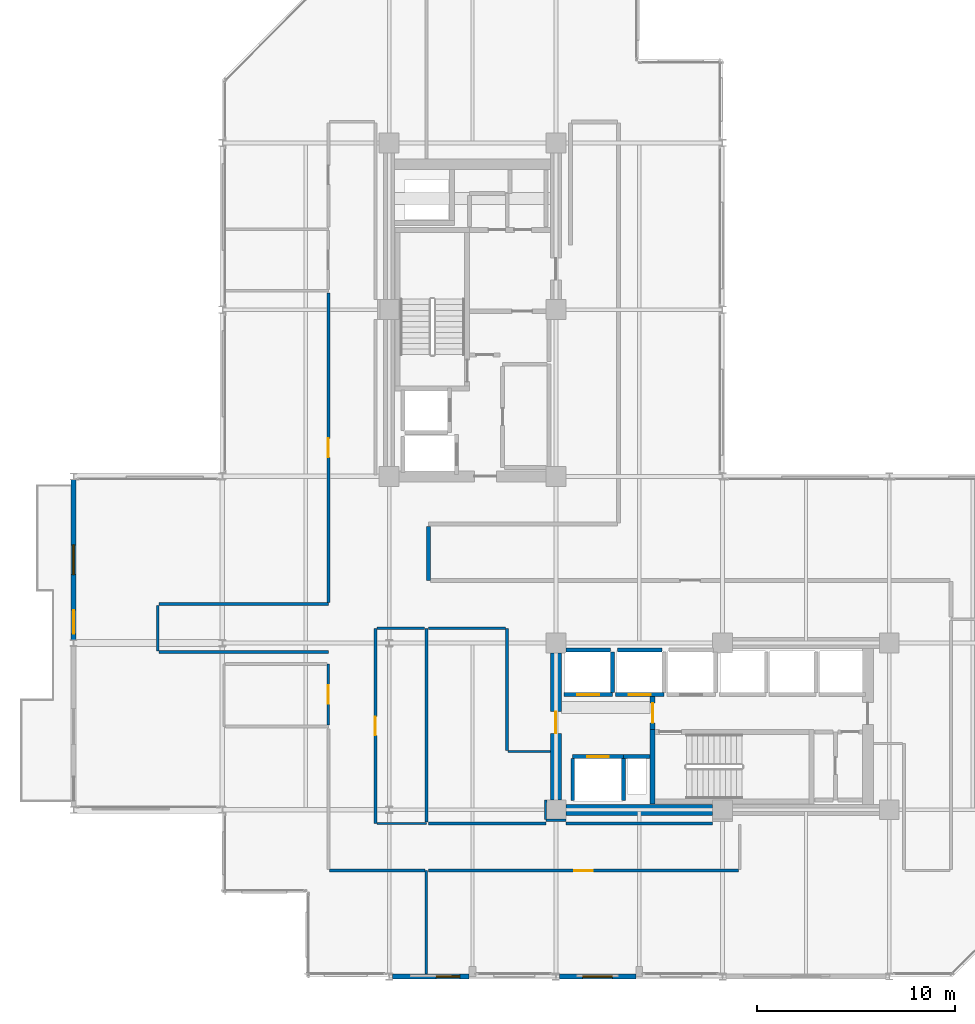
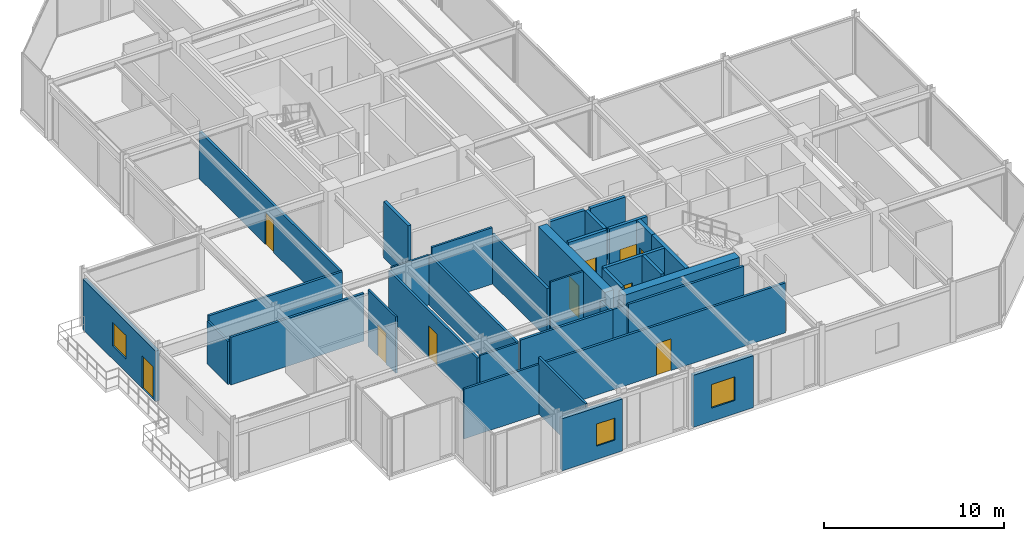
# One storey, part 24 of 29: 36 walls, 10 doors, 3 windows, 13 openings.
"""IFC4 building model written with IfcOpenShell, lengths in metres."""

from ifc_helpers import new_model, si_unit, direction, frame, frame_2d, origin, place, context, subcontext, project, spatial, rectangle, extrude, material, layer, layer_set, type_object, element, fill, save


model = new_model("IFC4")

# Units and contexts
model_context = context("Model", 3, precision=1e-05, world=origin(), true_north=direction((0.0, 1.0)))
body_context = subcontext(model_context, "Body", "Model", "MODEL_VIEW")
ifc_project = project(units=[si_unit("LENGTHUNIT", "METRE"), si_unit("AREAUNIT", "SQUARE_METRE"), si_unit("VOLUMEUNIT", "CUBIC_METRE"), si_unit("PLANEANGLEUNIT", "RADIAN"), si_unit("MASSUNIT", "GRAM", prefix="KILO")], contexts=[model_context])

# Site, building, storey
site_placement = place(None, origin())
site = spatial("IfcSite", under=ifc_project, at=site_placement, CompositionType="ELEMENT")
building_placement = place(site_placement, origin())
building = spatial("IfcBuilding", under=site, at=building_placement, Name="Nerrivon Quay Data Exchange", CompositionType="ELEMENT")
storey_placement = place(building_placement, frame((0.0, 0.0, 175.5)))
storey = spatial("IfcBuildingStorey", under=building, at=storey_placement, Name="L41", CompositionType="ELEMENT", Elevation=175.5)

# Wall, openings, door, window
ifc_material_1 = material(Name="Architectural terracotta precast concrete N50 (50 MPa)", Category="masonry")
ifc_layer_1 = layer(ifc_material_1, 0.239990234375)
ifc_layer_set_1 = layer_set([ifc_layer_1], Name="Architectural terracotta precast concrete N50 (50 MPa)")
wall_type_1 = type_object("IfcWallType", Name="EW-PREC-240", PredefinedType="STANDARD", material=ifc_layer_set_1)
wall_1_placement = place(storey_placement, frame((-7.5, 16.96337890625, 0.0), z_axis=(0.0, 0.0, 1.0), x_axis=(0.0, 1.0, 0.0)))
wall_1 = element("IfcWall", 1, at=wall_1_placement, inside=storey, type_object=wall_type_1, Name="L41 Terrace Host Wall 2", PredefinedType="STANDARD", context=body_context, shape_type="SweptSolid", body=[
    extrude(rectangle(XDim=8.0732421875, YDim=0.239990234375, at=frame_2d((4.03662109375, 0.0))), origin(), (0.0, 0.0, 1.0), 3.422119140625),
])
opening_1_placement = place(wall_1_placement, frame((0.300048828125, 0.0, 0.0)))
opening_1 = element("IfcOpeningElement", 2, at=opening_1_placement, cuts=wall_1, Name="Opening TD1", PredefinedType="OPENING", context=body_context, shape_type="SweptSolid", body=[
    extrude(rectangle(XDim=1.199951171875, YDim=2.199951171875, at=frame_2d((0.60009765625, 1.10009765625))), frame((0.0, 0.1298828125, 0.0), z_axis=(0.0, -1.0, 0.0), x_axis=(1.0, 0.0, 0.0)), (0.0, 0.0, 1.0), 0.260009765625),
])
opening_2_placement = place(wall_1_placement, frame((3.28662109375, 0.0, 0.89990234375)))
opening_2 = element("IfcOpeningElement", 3, at=opening_2_placement, cuts=wall_1, Name="Opening WN4", PredefinedType="OPENING", context=body_context, shape_type="SweptSolid", body=[
    extrude(rectangle(XDim=1.5, YDim=1.60009765625, at=frame_2d((0.75, 0.800048828125))), frame((0.0, 0.1298828125, 0.0), z_axis=(0.0, -1.0, 0.0), x_axis=(1.0, 0.0, 0.0)), (0.0, 0.0, 1.0), 0.260009765625),
])
ifc_material_2 = material(Name="Double-glazed low-E solar control glass", Category="glass")
door_type_1 = type_object("IfcDoorType", Name="DR-TERR-1200x2200", OperationType="NOTDEFINED", PredefinedType="DOOR", material=ifc_material_2)
door_1_placement = place(opening_1_placement, origin())
door_1 = element("IfcDoor", 4, at=door_1_placement, inside=storey, type_object=door_type_1, Name="L41 Outdoor Terrace Access Door 2", OperationType="SINGLE_SWING_LEFT", OverallHeight=2.199951171875, OverallWidth=1.199951171875, PredefinedType="DOOR", context=body_context, shape_type="SweptSolid", body=[
    extrude(rectangle(XDim=1.199951171875, YDim=2.199951171875, at=frame_2d((0.60009765625, 1.10009765625))), frame((0.0, 0.02490234375, 0.0), z_axis=(0.0, -1.0, 0.0), x_axis=(1.0, 0.0, 0.0)), (0.0, 0.0, 1.0), 0.050048828125),
])
fill(opening_1, door_1)
window_type_1 = type_object("IfcWindowType", Name="WIN-W4-1500x1600", PartitioningType="SINGLE_PANEL", PredefinedType="WINDOW", material=ifc_material_2)
window_1_placement = place(opening_2_placement, origin())
window_1 = element("IfcWindow", 5, at=window_1_placement, inside=storey, type_object=window_type_1, Name="L41 Terrace Side Window 2", OverallHeight=1.60009765625, OverallWidth=1.5, PartitioningType="SINGLE_PANEL", PredefinedType="WINDOW", context=body_context, shape_type="SweptSolid", body=[
    extrude(rectangle(XDim=1.5, YDim=1.60009765625, at=frame_2d((0.75, 0.800048828125))), frame((0.0, 0.030029296875, 0.0), z_axis=(0.0, -1.0, 0.0), x_axis=(1.0, 0.0, 0.0)), (0.0, 0.0, 1.0), 0.06005859375),
])
fill(opening_2, window_1)

# Wall, opening, window
wall_2_placement = place(storey_placement, frame((20.824951171875, 0.0, 0.0), z_axis=(0.0, 0.0, 1.0), x_axis=(-1.0, 0.0, 0.0)))
wall_2 = element("IfcWall", 6, at=wall_2_placement, inside=storey, type_object=wall_type_1, Name="L41 Podium Precast Spandrel Wall 25", PredefinedType="STANDARD", context=body_context, shape_type="SweptSolid", body=[
    extrude(rectangle(XDim=3.849853515625, YDim=0.239990234375, at=frame_2d((1.9248046875, 0.0))), origin(), (0.0, 0.0, 1.0), 3.52490234375),
])
opening_3_placement = place(wall_2_placement, frame((1.175048828125, 0.0, 0.89990234375)))
opening_3 = element("IfcOpeningElement", 7, at=opening_3_placement, cuts=wall_2, Name="Opening WN4", PredefinedType="OPENING", context=body_context, shape_type="SweptSolid", body=[
    extrude(rectangle(XDim=1.5, YDim=1.60009765625, at=frame_2d((0.75, 0.800048828125))), frame((0.0, 0.1298828125, 0.0), z_axis=(0.0, -1.0, 0.0), x_axis=(1.0, 0.0, 0.0)), (0.0, 0.0, 1.0), 0.260009765625),
])
window_2_placement = place(opening_3_placement, origin())
window_2 = element("IfcWindow", 8, at=window_2_placement, inside=storey, type_object=window_type_1, Name="L41 Solar Facade Window 25", OverallHeight=1.60009765625, OverallWidth=1.5, PartitioningType="SINGLE_PANEL", PredefinedType="WINDOW", context=body_context, shape_type="SweptSolid", body=[
    extrude(rectangle(XDim=1.5, YDim=1.60009765625, at=frame_2d((0.75, 0.800048828125))), frame((0.0, 0.030029296875, 0.0), z_axis=(0.0, -1.0, 0.0), x_axis=(1.0, 0.0, 0.0)), (0.0, 0.0, 1.0), 0.06005859375),
])
fill(opening_3, window_2)

wall_3_placement = place(storey_placement, frame((12.425048828125, 0.0, 0.0), z_axis=(0.0, 0.0, 1.0), x_axis=(-1.0, 0.0, 0.0)))
wall_3 = element("IfcWall", 9, at=wall_3_placement, inside=storey, type_object=wall_type_1, Name="L41 Podium Precast Spandrel Wall 27", PredefinedType="STANDARD", context=body_context, shape_type="SweptSolid", body=[
    extrude(rectangle(XDim=3.85009765625, YDim=0.239990234375, at=frame_2d((1.925048828125, 0.0))), origin(), (0.0, 0.0, 1.0), 3.52490234375),
])
opening_4_placement = place(wall_3_placement, frame((0.462646484375, 0.0, 0.89990234375)))
opening_4 = element("IfcOpeningElement", 10, at=opening_4_placement, cuts=wall_3, Name="Opening WN3", PredefinedType="OPENING", context=body_context, shape_type="SweptSolid", body=[
    extrude(rectangle(XDim=1.199951171875, YDim=1.5, at=frame_2d((0.60009765625, 0.75))), frame((0.0, 0.1298828125, 0.0), z_axis=(0.0, -1.0, 0.0), x_axis=(1.0, 0.0, 0.0)), (0.0, 0.0, 1.0), 0.260009765625),
])
window_type_2 = type_object("IfcWindowType", Name="WIN-W3-1200x1500", PartitioningType="SINGLE_PANEL", PredefinedType="WINDOW", material=ifc_material_2)
window_3_placement = place(opening_4_placement, origin())
window_3 = element("IfcWindow", 11, at=window_3_placement, inside=storey, type_object=window_type_2, Name="L41 Solar Facade Window 27", OverallHeight=1.5, OverallWidth=1.199951171875, PartitioningType="SINGLE_PANEL", PredefinedType="WINDOW", context=body_context, shape_type="SweptSolid", body=[
    extrude(rectangle(XDim=1.199951171875, YDim=1.5, at=frame_2d((0.60009765625, 0.75))), frame((0.0, 0.030029296875, 0.0), z_axis=(0.0, -1.0, 0.0), x_axis=(1.0, 0.0, 0.0)), (0.0, 0.0, 1.0), 0.06005859375),
])
fill(opening_4, window_3)

# Wall
ifc_material_3 = material(Name="Concrete S65 (65 MPa)", Category="concrete")
ifc_layer_2 = layer(ifc_material_3, 0.550048828125)
ifc_layer_set_2 = layer_set([ifc_layer_2], Name="Concrete S65 (65 MPa)")
wall_type_2 = type_object("IfcWallType", Name="WALL-CW-700", PredefinedType="SHEAR", material=ifc_layer_set_2)
wall_4_placement = place(storey_placement, frame((17.300048828125, 8.39990234375, 0.0), z_axis=(0.0, 0.0, 1.0), x_axis=(1.0, 0.0, 0.0)))
element("IfcWall", 12, at=wall_4_placement, inside=storey, type_object=wall_type_2, Name="L41 East Split-Core Shear Wall ECW-S1", PredefinedType="SHEAR", context=body_context, shape_type="SweptSolid", body=[
    extrude(rectangle(XDim=7.39990234375, YDim=0.550048828125, at=frame_2d((3.699951171875, 0.0))), origin(), (0.0, 0.0, 1.0), 3.824951171875),
])

# Wall, opening, door
wall_5_placement = place(storey_placement, frame((16.800048828125, 8.89990234375, 0.0), z_axis=(0.0, 0.0, 1.0), x_axis=(0.0, 1.0, 0.0)))
wall_5 = element("IfcWall", 13, at=wall_5_placement, inside=storey, type_object=wall_type_2, Name="L41 East Split-Core Shear Wall ECW-W1", PredefinedType="SHEAR", context=body_context, shape_type="SweptSolid", body=[
    extrude(rectangle(XDim=7.400146484375, YDim=0.550048828125, at=frame_2d((3.7001953125, 0.0))), origin(), (0.0, 0.0, 1.0), 3.824951171875),
])
opening_5_placement = place(wall_5_placement, frame((3.35009765625, 0.0, 0.0)))
opening_5 = element("IfcOpeningElement", 14, at=opening_5_placement, cuts=wall_5, Name="Opening FD-120", PredefinedType="OPENING", context=body_context, shape_type="SweptSolid", body=[
    extrude(rectangle(XDim=1.10009765625, YDim=2.14990234375, at=frame_2d((0.550048828125, 1.074951171875))), frame((0.0, 0.284912109375, 0.0), z_axis=(0.0, -1.0, 0.0), x_axis=(1.0, 0.0, 0.0)), (0.0, 0.0, 1.0), 0.570068359375),
])
ifc_material_4 = material(Name="Powder-coated galvanized steel sheet", Category="steel")
door_type_2 = type_object("IfcDoorType", Name="DR-FD120-1100", OperationType="NOTDEFINED", PredefinedType="DOOR", material=ifc_material_4)
door_2_placement = place(opening_5_placement, origin())
door_2 = element("IfcDoor", 15, at=door_2_placement, inside=storey, type_object=door_type_2, Name="L41 East Core Lobby Fire Door", OperationType="SINGLE_SWING_RIGHT", OverallHeight=2.14990234375, OverallWidth=1.10009765625, PredefinedType="DOOR", context=body_context, shape_type="SweptSolid", body=[
    extrude(rectangle(XDim=1.10009765625, YDim=2.14990234375, at=frame_2d((0.550048828125, 1.074951171875))), frame((0.0, 0.02490234375, 0.0), z_axis=(0.0, -1.0, 0.0), x_axis=(1.0, 0.0, 0.0)), (0.0, 0.0, 1.0), 0.050048828125),
])
fill(opening_5, door_2)

# Wall
ifc_material_5 = material(Name="Gypsum plasterboard on cold-formed framing", Category="gypsum")
ifc_layer_3 = layer(ifc_material_5, 0.199951171875)
ifc_layer_set_3 = layer_set([ifc_layer_3], Name="Gypsum plasterboard on cold-formed framing")
wall_type_3 = type_object("IfcWallType", Name="WALL-FW-200", PredefinedType="PARTITIONING", material=ifc_layer_set_3)
wall_6_placement = place(storey_placement, frame((20.199951171875, 11.080078125, 0.0), z_axis=(0.0, 0.0, 1.0), x_axis=(1.0, 0.0, 0.0)))
element("IfcWall", 16, at=wall_6_placement, inside=storey, type_object=wall_type_3, Name="L41 East Core MEP Riser Shaft Wall N", PredefinedType="PARTITIONING", context=body_context, shape_type="SweptSolid", body=[
    extrude(rectangle(XDim=1.35009765625, YDim=0.199951171875, at=frame_2d((0.675048828125, 0.0))), origin(), (0.0, 0.0, 1.0), 3.824951171875),
])

# Wall, opening, door
wall_7_placement = place(storey_placement, frame((17.64990234375, 11.080078125, 0.0), z_axis=(0.0, 0.0, 1.0), x_axis=(1.0, 0.0, 0.0)))
wall_7 = element("IfcWall", 17, at=wall_7_placement, inside=storey, type_object=wall_type_3, Name="L41 Lift Front Wall FFL-2", PredefinedType="PARTITIONING", context=body_context, shape_type="SweptSolid", body=[
    extrude(rectangle(XDim=2.550048828125, YDim=0.199951171875, at=frame_2d((1.27490234375, 0.0))), origin(), (0.0, 0.0, 1.0), 3.824951171875),
])
opening_6_placement = place(wall_7_placement, frame((0.72509765625, 0.0, 0.0)))
opening_6 = element("IfcOpeningElement", 18, at=opening_6_placement, cuts=wall_7, Name="Opening LD-120", PredefinedType="OPENING", context=body_context, shape_type="SweptSolid", body=[
    extrude(rectangle(XDim=1.10009765625, YDim=2.199951171875, at=frame_2d((0.550048828125, 1.10009765625))), frame((0.0, 0.10986328125, 0.0), z_axis=(0.0, -1.0, 0.0), x_axis=(1.0, 0.0, 0.0)), (0.0, 0.0, 1.0), 0.219970703125),
])
door_type_3 = type_object("IfcDoorType", Name="DR-LIFT-LD120", OperationType="DOUBLE_DOOR_SLIDING", PredefinedType="DOOR", material=ifc_material_4)
door_3_placement = place(opening_6_placement, origin())
door_3 = element("IfcDoor", 19, at=door_3_placement, inside=storey, type_object=door_type_3, Name="L41 Lift Landing Sliding Door FFL-2", OperationType="DOUBLE_DOOR_SLIDING", OverallHeight=2.199951171875, OverallWidth=1.10009765625, PredefinedType="DOOR", context=body_context, shape_type="SweptSolid", body=[
    extrude(rectangle(XDim=1.10009765625, YDim=2.199951171875, at=frame_2d((0.550048828125, 1.10009765625))), frame((0.0, 0.02490234375, 0.0), z_axis=(0.0, -1.0, 0.0), x_axis=(1.0, 0.0, 0.0)), (0.0, 0.0, 1.0), 0.050048828125),
])
fill(opening_6, door_3)

# Walls
for number, where, z_axis, x_axis, name in (
    (20, (20.199951171875, 8.8798828125, 0.0), (0.0, 0.0, 1.0), (0.0, 1.0, 0.0), "L41 Lift Shaft Wall FFL-2 EAST"),
    (21, (17.64990234375, 8.8798828125, 0.0), (0.0, 0.0, 1.0), (0.0, 1.0, 0.0), "L41 Lift Shaft Wall FFL-2 WEST"),
):
    element("IfcWall", number, at=place(storey_placement, frame(where, z_axis=z_axis, x_axis=x_axis)), inside=storey, type_object=wall_type_3, Name=name, PredefinedType="PARTITIONING", context=body_context, shape_type="SweptSolid", body=[
        extrude(rectangle(XDim=2.10009765625, YDim=0.199951171875, at=frame_2d((1.050048828125, 0.0))), origin(), (0.0, 0.0, 1.0), 3.824951171875),
    ])

# Wall, opening, door
wall_8_placement = place(storey_placement, frame((17.199951171875, 14.199951171875, 0.0), z_axis=(0.0, 0.0, 1.0), x_axis=(1.0, 0.0, 0.0)))
wall_8 = element("IfcWall", 22, at=wall_8_placement, inside=storey, type_object=wall_type_3, Name="L41 Lift Front Wall PL4", PredefinedType="PARTITIONING", context=body_context, shape_type="SweptSolid", body=[
    extrude(rectangle(XDim=2.449951171875, YDim=0.199951171875, at=frame_2d((1.22509765625, 0.0))), origin(), (0.0, 0.0, 1.0), 3.824951171875),
])
opening_7_placement = place(wall_8_placement, frame((0.675048828125, 0.0, 0.0)))
opening_7 = element("IfcOpeningElement", 23, at=opening_7_placement, cuts=wall_8, Name="Opening LD-120", PredefinedType="OPENING", context=body_context, shape_type="SweptSolid", body=[
    extrude(rectangle(XDim=1.10009765625, YDim=2.199951171875, at=frame_2d((0.550048828125, 1.10009765625))), frame((0.0, 0.10986328125, 0.0), z_axis=(0.0, -1.0, 0.0), x_axis=(1.0, 0.0, 0.0)), (0.0, 0.0, 1.0), 0.219970703125),
])
door_4_placement = place(opening_7_placement, origin())
door_4 = element("IfcDoor", 24, at=door_4_placement, inside=storey, type_object=door_type_3, Name="L41 Lift Landing Sliding Door PL4", OperationType="DOUBLE_DOOR_SLIDING", OverallHeight=2.199951171875, OverallWidth=1.10009765625, PredefinedType="DOOR", context=body_context, shape_type="SweptSolid", body=[
    extrude(rectangle(XDim=1.10009765625, YDim=2.199951171875, at=frame_2d((0.550048828125, 1.10009765625))), frame((0.0, 0.02490234375, 0.0), z_axis=(0.0, -1.0, 0.0), x_axis=(1.0, 0.0, 0.0)), (0.0, 0.0, 1.0), 0.050048828125),
])
fill(opening_7, door_4)

# Walls
wall_9_placement = place(storey_placement, frame((19.64990234375, 14.300048828125, 0.0), z_axis=(0.0, 0.0, 1.0), x_axis=(0.0, 1.0, 0.0)))
element("IfcWall", 25, at=wall_9_placement, inside=storey, type_object=wall_type_3, Name="L41 Lift Shaft Wall PL4 EAST", PredefinedType="PARTITIONING", context=body_context, shape_type="SweptSolid", body=[
    extrude(rectangle(XDim=2.050048828125, YDim=0.199951171875, at=frame_2d((1.02490234375, 0.0))), origin(), (0.0, 0.0, 1.0), 3.824951171875),
])
wall_10_placement = place(storey_placement, frame((17.300048828125, 16.449951171875, 0.0), z_axis=(0.0, 0.0, 1.0), x_axis=(1.0, 0.0, 0.0)))
element("IfcWall", 26, at=wall_10_placement, inside=storey, type_object=wall_type_3, Name="L41 Lift Shaft Wall PL4 NORTH", PredefinedType="PARTITIONING", context=body_context, shape_type="SweptSolid", body=[
    extrude(rectangle(XDim=2.25, YDim=0.199951171875, at=frame_2d((1.125, 0.0))), origin(), (0.0, 0.0, 1.0), 3.824951171875),
])

# Wall, opening, door
wall_11_placement = place(storey_placement, frame((19.800048828125, 14.199951171875, 0.0), z_axis=(0.0, 0.0, 1.0), x_axis=(1.0, 0.0, 0.0)))
wall_11 = element("IfcWall", 27, at=wall_11_placement, inside=storey, type_object=wall_type_3, Name="L41 Lift Front Wall PL5", PredefinedType="PARTITIONING", context=body_context, shape_type="SweptSolid", body=[
    extrude(rectangle(XDim=2.449951171875, YDim=0.199951171875, at=frame_2d((1.22509765625, 0.0))), origin(), (0.0, 0.0, 1.0), 3.824951171875),
])
opening_8_placement = place(wall_11_placement, frame((0.675048828125, 0.0, 0.0)))
opening_8 = element("IfcOpeningElement", 28, at=opening_8_placement, cuts=wall_11, Name="Opening LD-120", PredefinedType="OPENING", context=body_context, shape_type="SweptSolid", body=[
    extrude(rectangle(XDim=1.10009765625, YDim=2.199951171875, at=frame_2d((0.550048828125, 1.10009765625))), frame((0.0, 0.10986328125, 0.0), z_axis=(0.0, -1.0, 0.0), x_axis=(1.0, 0.0, 0.0)), (0.0, 0.0, 1.0), 0.219970703125),
])
door_5_placement = place(opening_8_placement, origin())
door_5 = element("IfcDoor", 29, at=door_5_placement, inside=storey, type_object=door_type_3, Name="L41 Lift Landing Sliding Door PL5", OperationType="DOUBLE_DOOR_SLIDING", OverallHeight=2.199951171875, OverallWidth=1.10009765625, PredefinedType="DOOR", context=body_context, shape_type="SweptSolid", body=[
    extrude(rectangle(XDim=1.10009765625, YDim=2.199951171875, at=frame_2d((0.550048828125, 1.10009765625))), frame((0.0, 0.02490234375, 0.0), z_axis=(0.0, -1.0, 0.0), x_axis=(1.0, 0.0, 0.0)), (0.0, 0.0, 1.0), 0.050048828125),
])
fill(opening_8, door_5)

# Walls
wall_12_placement = place(storey_placement, frame((19.89990234375, 16.449951171875, 0.0), z_axis=(0.0, 0.0, 1.0), x_axis=(1.0, 0.0, 0.0)))
element("IfcWall", 30, at=wall_12_placement, inside=storey, type_object=wall_type_3, Name="L41 Lift Shaft Wall PL5 NORTH", PredefinedType="PARTITIONING", context=body_context, shape_type="SweptSolid", body=[
    extrude(rectangle(XDim=2.25, YDim=0.199951171875, at=frame_2d((1.125, 0.0))), origin(), (0.0, 0.0, 1.0), 3.824951171875),
])
wall_13_placement = place(storey_placement, frame((10.389892578125, 22.68603515625, 0.0), z_axis=(0.0, 0.0, 1.0), x_axis=(0.0, -1.0, 0.0)))
element("IfcWall", 31, at=wall_13_placement, inside=storey, type_object=wall_type_3, Name="L41 Partition Colocation Data Workspace 1", PredefinedType="PARTITIONING", context=body_context, shape_type="SweptSolid", body=[
    extrude(rectangle(XDim=2.72607421875, YDim=0.199951171875, at=frame_2d((1.363037109375, 0.0))), origin(), (0.0, 0.0, 1.0), 3.824951171875),
])

# Wall, opening, door
ifc_layer_4 = layer(ifc_material_5, 0.1201171875)
ifc_layer_set_4 = layer_set([ifc_layer_4], Name="Gypsum plasterboard on cold-formed framing")
wall_type_4 = type_object("IfcWallType", Name="WALL-PT-120", PredefinedType="PARTITIONING", material=ifc_layer_set_4)
wall_14_placement = place(storey_placement, frame((5.340087890625, 12.67138671875, 0.0), z_axis=(0.0, 0.0, 1.0), x_axis=(0.0, 1.0, 0.0)))
wall_14 = element("IfcWall", 32, at=wall_14_placement, inside=storey, type_object=wall_type_4, Name="L41 Partition Accessible Toilet", PredefinedType="PARTITIONING", context=body_context, shape_type="SweptSolid", body=[
    extrude(rectangle(XDim=3.07861328125, YDim=0.1201171875, at=frame_2d((1.539306640625, 0.0))), origin(), (0.0, 0.0, 1.0), 3.824951171875),
])
opening_9_placement = place(wall_14_placement, frame((1.079345703125, 0.0, 0.0)))
opening_9 = element("IfcOpeningElement", 33, at=opening_9_placement, cuts=wall_14, Name="Opening D-WC", PredefinedType="OPENING", context=body_context, shape_type="SweptSolid", body=[
    extrude(rectangle(XDim=0.919921875, YDim=2.10009765625, at=frame_2d((0.4599609375, 1.050048828125))), frame((0.0, 0.070068359375, 0.0), z_axis=(0.0, -1.0, 0.0), x_axis=(1.0, 0.0, 0.0)), (0.0, 0.0, 1.0), 0.14013671875),
])
ifc_material_6 = material(Name="Engineered hardwood timber", Category="wood")
door_type_4 = type_object("IfcDoorType", Name="DR-WC-920", OperationType="NOTDEFINED", PredefinedType="DOOR", material=ifc_material_6)
door_6_placement = place(opening_9_placement, origin())
door_6 = element("IfcDoor", 34, at=door_6_placement, inside=storey, type_object=door_type_4, Name="L41 Door Accessible Toilet", OperationType="SINGLE_SWING_LEFT", OverallHeight=2.10009765625, OverallWidth=0.919921875, PredefinedType="DOOR", context=body_context, shape_type="SweptSolid", body=[
    extrude(rectangle(XDim=0.919921875, YDim=2.10009765625, at=frame_2d((0.4599609375, 1.050048828125))), frame((0.0, 0.02490234375, 0.0), z_axis=(0.0, -1.0, 0.0), x_axis=(1.0, 0.0, 0.0)), (0.0, 0.0, 1.0), 0.050048828125),
])
fill(opening_9, door_6)

# Walls
wall_15_placement = place(storey_placement, frame((7.7890625, 7.7099609375, 0.0), z_axis=(0.0, 0.0, 1.0), x_axis=(1.0, 0.0, 0.0)))
element("IfcWall", 35, at=wall_15_placement, inside=storey, type_object=wall_type_4, Name="L41 Partition Staff Pantry", PredefinedType="PARTITIONING", context=body_context, shape_type="SweptSolid", body=[
    extrude(rectangle(XDim=2.480712890625, YDim=0.1201171875, at=frame_2d((1.240234375, 0.0))), origin(), (0.0, 0.0, 1.0), 3.37109375),
])
wall_16_placement = place(storey_placement, frame((10.19091796875, 17.5400390625, 0.0), z_axis=(0.0, 0.0, 1.0), x_axis=(-1.0, 0.0, 0.0)))
element("IfcWall", 36, at=wall_16_placement, inside=storey, type_object=wall_type_4, Name="L41 Partition Staff Pantry", PredefinedType="PARTITIONING", context=body_context, shape_type="SweptSolid", body=[
    extrude(rectangle(XDim=2.40185546875, YDim=0.1201171875, at=frame_2d((1.200927734375, 0.0))), origin(), (0.0, 0.0, 1.0), 3.37109375),
])
wall_17_placement = place(storey_placement, frame((-3.259765625, 16.39404296875, 0.0), z_axis=(0.0, 0.0, 1.0), x_axis=(-0.000105876124, 0.999999994395, 0.0)))
element("IfcWall", 37, at=wall_17_placement, inside=storey, type_object=wall_type_4, Name="L41 Partition Mail and Crew Room", PredefinedType="PARTITIONING", context=body_context, shape_type="SweptSolid", body=[
    extrude(rectangle(XDim=2.305908203125, YDim=0.1201171875, at=frame_2d((1.15283203125, 0.0))), origin(), (0.0, 0.0, 1.0), 2.9150390625),
])
wall_18_placement = place(storey_placement, frame((17.303955078125, 7.88037109375, 0.0), z_axis=(0.0, 0.0, 1.0), x_axis=(-0.999999881717, -0.000486381265, 0.0)))
element("IfcWall", 38, at=wall_18_placement, inside=storey, type_object=wall_type_4, Name="L41 Partition Technical Library", PredefinedType="PARTITIONING", context=body_context, shape_type="SweptSolid", body=[
    extrude(rectangle(XDim=1.00390625, YDim=0.1201171875, at=frame_2d((0.501953125, 0.0))), origin(), (0.0, 0.0, 1.0), 3.37109375),
])
wall_19_placement = place(storey_placement, frame((16.280029296875, 7.89990234375, 0.0), z_axis=(0.0, 0.0, 1.0), x_axis=(0.000486381265, 0.999999881717, 0.0)))
element("IfcWall", 39, at=wall_19_placement, inside=storey, type_object=wall_type_4, Name="L41 Partition Technical Library", PredefinedType="PARTITIONING", context=body_context, shape_type="SweptSolid", body=[
    extrude(rectangle(XDim=1.00390625, YDim=0.1201171875, at=frame_2d((0.501953125, 0.0))), origin(), (0.0, 0.0, 1.0), 3.364990234375),
])
wall_20_placement = place(storey_placement, frame((16.52099609375, 11.340087890625, 0.0), z_axis=(0.0, 0.0, 1.0), x_axis=(-1.0, 0.0, 0.0)))
element("IfcWall", 40, at=wall_20_placement, inside=storey, type_object=wall_type_4, Name="L41 Partition Technical Library", PredefinedType="PARTITIONING", context=body_context, shape_type="SweptSolid", body=[
    extrude(rectangle(XDim=2.12109375, YDim=0.1201171875, at=frame_2d((1.060546875, 0.0))), origin(), (0.0, 0.0, 1.0), 3.824951171875),
])
ifc_layer_5 = layer(ifc_material_5, 0.135009765625)
ifc_layer_set_5 = layer_set([ifc_layer_5], Name="Gypsum plasterboard on cold-formed framing")
wall_type_5 = type_object("IfcWallType", Name="WALL-PT-135", PredefinedType="PARTITIONING", material=ifc_layer_set_5)
wall_21_placement = place(storey_placement, frame((10.269775390625, 0.1240234375, 0.0), z_axis=(0.0, 0.0, 1.0), x_axis=(0.0, 1.0, 0.0)))
element("IfcWall", 41, at=wall_21_placement, inside=storey, type_object=wall_type_5, Name="L41 Partition Mail and Crew Room", PredefinedType="PARTITIONING", context=body_context, shape_type="SweptSolid", body=[
    extrude(rectangle(XDim=5.216064453125, YDim=0.135009765625, at=frame_2d((2.60791015625, 0.0))), origin(), (0.0, 0.0, 1.0), 3.824951171875),
])
wall_22_placement = place(storey_placement, frame((10.1982421875, 5.340087890625, 0.0), z_axis=(0.0, 0.0, 1.0), x_axis=(-1.0, 0.0, 0.0)))
element("IfcWall", 42, at=wall_22_placement, inside=storey, type_object=wall_type_5, Name="L41 Partition Mail and Crew Room", PredefinedType="PARTITIONING", context=body_context, shape_type="SweptSolid", body=[
    extrude(rectangle(XDim=4.79833984375, YDim=0.135009765625, at=frame_2d((2.399169921875, 0.0))), origin(), (0.0, 0.0, 1.0), 3.37109375),
])
wall_23_placement = place(storey_placement, frame((14.260986328125, 17.5400390625, 0.0), z_axis=(0.0, 0.0, 1.0), x_axis=(-1.0, 0.0, 0.0)))
element("IfcWall", 43, at=wall_23_placement, inside=storey, type_object=wall_type_5, Name="L41 Partition Technical Library", PredefinedType="PARTITIONING", context=body_context, shape_type="SweptSolid", body=[
    extrude(rectangle(XDim=3.87109375, YDim=0.135009765625, at=frame_2d((1.935546875, 0.0))), origin(), (0.0, 0.0, 1.0), 3.824951171875),
])

# Wall, opening, door
ifc_layer_6 = layer(ifc_material_5, 0.14990234375)
ifc_layer_set_6 = layer_set([ifc_layer_6], Name="Gypsum plasterboard on cold-formed framing")
wall_type_6 = type_object("IfcWallType", Name="WALL-PT-150", PredefinedType="PARTITIONING", material=ifc_layer_set_6)
wall_24_placement = place(storey_placement, frame((7.7099609375, 17.5400390625, 0.0), z_axis=(0.0, 0.0, 1.0), x_axis=(0.0, -1.0, 0.0)))
wall_24 = element("IfcWall", 44, at=wall_24_placement, inside=storey, type_object=wall_type_6, Name="L41 Partition Staff Pantry", PredefinedType="PARTITIONING", context=body_context, shape_type="SweptSolid", body=[
    extrude(rectangle(XDim=9.830078125, YDim=0.14990234375, at=frame_2d((4.9150390625, 0.0))), origin(), (0.0, 0.0, 1.0), 3.212890625),
])
opening_10_placement = place(wall_24_placement, frame((4.43994140625, 0.0, 0.0)))
opening_10 = element("IfcOpeningElement", 45, at=opening_10_placement, cuts=wall_24, Name="Opening D-01", PredefinedType="OPENING", context=body_context, shape_type="SweptSolid", body=[
    extrude(rectangle(XDim=0.949951171875, YDim=2.14990234375, at=frame_2d((0.47509765625, 1.074951171875))), frame((0.0, 0.0849609375, 0.0), z_axis=(0.0, -1.0, 0.0), x_axis=(1.0, 0.0, 0.0)), (0.0, 0.0, 1.0), 0.169921875),
])
door_type_5 = type_object("IfcDoorType", Name="DR-INT-950", OperationType="NOTDEFINED", PredefinedType="DOOR", material=ifc_material_6)
door_7_placement = place(opening_10_placement, origin())
door_7 = element("IfcDoor", 46, at=door_7_placement, inside=storey, type_object=door_type_5, Name="L41 Door Staff Pantry", OperationType="SINGLE_SWING_LEFT", OverallHeight=2.14990234375, OverallWidth=0.949951171875, PredefinedType="DOOR", context=body_context, shape_type="SweptSolid", body=[
    extrude(rectangle(XDim=0.949951171875, YDim=2.14990234375, at=frame_2d((0.47509765625, 1.074951171875))), frame((0.0, 0.02490234375, 0.0), z_axis=(0.0, -1.0, 0.0), x_axis=(1.0, 0.0, 0.0)), (0.0, 0.0, 1.0), 0.050048828125),
])
fill(opening_10, door_7)

# Walls
wall_25_placement = place(storey_placement, frame((10.269775390625, 7.77392578125, 0.0), z_axis=(0.0, 0.0, 1.0), x_axis=(0.0, 1.0, 0.0)))
element("IfcWall", 47, at=wall_25_placement, inside=storey, type_object=wall_type_6, Name="L41 Partition Staff Pantry", PredefinedType="PARTITIONING", context=body_context, shape_type="SweptSolid", body=[
    extrude(rectangle(XDim=9.76611328125, YDim=0.14990234375, at=frame_2d((4.883056640625, 0.0))), origin(), (0.0, 0.0, 1.0), 3.364990234375),
])
for number, where, z_axis, x_axis, name in (
    (48, (5.340087890625, 16.340087890625, 0.0), (0.0, 0.0, 1.0), (-1.0, 0.0, 0.0), "L41 Partition Mail and Crew Room"),
    (49, (-3.199951171875, 18.760009765625, 0.0), (0.0, 0.0, 1.0), (1.0, 0.0, 0.0), "L41 Partition Mail and Crew Room"),
):
    element("IfcWall", number, at=place(storey_placement, frame(where, z_axis=z_axis, x_axis=x_axis)), inside=storey, type_object=wall_type_6, Name=name, PredefinedType="PARTITIONING", context=body_context, shape_type="SweptSolid", body=[
        extrude(rectangle(XDim=8.5400390625, YDim=0.14990234375, at=frame_2d((4.27001953125, 0.0))), origin(), (0.0, 0.0, 1.0), 3.222900390625),
    ])

# Wall, opening, door
wall_26_placement = place(storey_placement, frame((5.340087890625, 18.839111328125, 0.0), z_axis=(0.0, 0.0, 1.0), x_axis=(0.0, 1.0, 0.0)))
wall_26 = element("IfcWall", 50, at=wall_26_placement, inside=storey, type_object=wall_type_6, Name="L41 Partition Mail and Crew Room", PredefinedType="PARTITIONING", context=body_context, shape_type="SweptSolid", body=[
    extrude(rectangle(XDim=15.5908203125, YDim=0.14990234375, at=frame_2d((7.79541015625, 0.0))), origin(), (0.0, 0.0, 1.0), 3.212890625),
])
opening_11_placement = place(wall_26_placement, frame((7.320556640625, 0.0, 0.0)))
opening_11 = element("IfcOpeningElement", 51, at=opening_11_placement, cuts=wall_26, Name="Opening D-01", PredefinedType="OPENING", context=body_context, shape_type="SweptSolid", body=[
    extrude(rectangle(XDim=0.949951171875, YDim=2.14990234375, at=frame_2d((0.47509765625, 1.074951171875))), frame((0.0, 0.0849609375, 0.0), z_axis=(0.0, -1.0, 0.0), x_axis=(1.0, 0.0, 0.0)), (0.0, 0.0, 1.0), 0.169921875),
])
door_8_placement = place(opening_11_placement, origin())
door_8 = element("IfcDoor", 52, at=door_8_placement, inside=storey, type_object=door_type_5, Name="L41 Door Mail and Crew Room", OperationType="SINGLE_SWING_LEFT", OverallHeight=2.14990234375, OverallWidth=0.949951171875, PredefinedType="DOOR", context=body_context, shape_type="SweptSolid", body=[
    extrude(rectangle(XDim=0.949951171875, YDim=2.14990234375, at=frame_2d((0.47509765625, 1.074951171875))), frame((0.0, 0.02490234375, 0.0), z_axis=(0.0, -1.0, 0.0), x_axis=(1.0, 0.0, 0.0)), (0.0, 0.0, 1.0), 0.050048828125),
])
fill(opening_11, door_8)

wall_27_placement = place(storey_placement, frame((26.0, 5.340087890625, 0.0), z_axis=(0.0, 0.0, 1.0), x_axis=(-1.0, 0.0, 0.0)))
wall_27 = element("IfcWall", 53, at=wall_27_placement, inside=storey, type_object=wall_type_6, Name="L41 Partition Technical Library", PredefinedType="PARTITIONING", context=body_context, shape_type="SweptSolid", body=[
    extrude(rectangle(XDim=15.610107421875, YDim=0.14990234375, at=frame_2d((7.80517578125, 0.0))), origin(), (0.0, 0.0, 1.0), 3.37109375),
])
opening_12_placement = place(wall_27_placement, frame((7.330078125, 0.0, 0.0)))
opening_12 = element("IfcOpeningElement", 54, at=opening_12_placement, cuts=wall_27, Name="Opening D-01", PredefinedType="OPENING", context=body_context, shape_type="SweptSolid", body=[
    extrude(rectangle(XDim=0.949951171875, YDim=2.14990234375, at=frame_2d((0.47509765625, 1.074951171875))), frame((0.0, 0.0849609375, 0.0), z_axis=(0.0, -1.0, 0.0), x_axis=(1.0, 0.0, 0.0)), (0.0, 0.0, 1.0), 0.169921875),
])
door_9_placement = place(opening_12_placement, origin())
door_9 = element("IfcDoor", 55, at=door_9_placement, inside=storey, type_object=door_type_5, Name="L41 Door Technical Library", OperationType="SINGLE_SWING_RIGHT", OverallHeight=2.14990234375, OverallWidth=0.949951171875, PredefinedType="DOOR", context=body_context, shape_type="SweptSolid", body=[
    extrude(rectangle(XDim=0.949951171875, YDim=2.14990234375, at=frame_2d((0.47509765625, 1.074951171875))), frame((0.0, 0.02490234375, 0.0), z_axis=(0.0, -1.0, 0.0), x_axis=(1.0, 0.0, 0.0)), (0.0, 0.0, 1.0), 0.050048828125),
])
fill(opening_12, door_9)

# Walls
wall_28_placement = place(storey_placement, frame((14.340087890625, 11.39990234375, 0.0), z_axis=(0.0, 0.0, 1.0), x_axis=(0.0, 1.0, 0.0)))
element("IfcWall", 56, at=wall_28_placement, inside=storey, type_object=wall_type_6, Name="L41 Partition Technical Library", PredefinedType="PARTITIONING", context=body_context, shape_type="SweptSolid", body=[
    extrude(rectangle(XDim=6.14013671875, YDim=0.14990234375, at=frame_2d((3.070068359375, 0.0))), origin(), (0.0, 0.0, 1.0), 3.364990234375),
])
wall_29_placement = place(storey_placement, frame((10.389892578125, 7.7099609375, 0.0), z_axis=(0.0, 0.0, 1.0), x_axis=(1.0, 0.0, 0.0)))
element("IfcWall", 57, at=wall_29_placement, inside=storey, type_object=wall_type_6, Name="L41 Partition Technical Library", PredefinedType="PARTITIONING", context=body_context, shape_type="SweptSolid", body=[
    extrude(rectangle(XDim=5.91015625, YDim=0.14990234375, at=frame_2d((2.955078125, 0.0))), origin(), (0.0, 0.0, 1.0), 3.51806640625),
])
wall_30_placement = place(storey_placement, frame((17.303955078125, 7.7099609375, 0.0), z_axis=(0.0, 0.0, 1.0), x_axis=(1.0, 0.0, 0.0)))
element("IfcWall", 58, at=wall_30_placement, inside=storey, type_object=wall_type_6, Name="L41 Partition Technical Library", PredefinedType="PARTITIONING", context=body_context, shape_type="SweptSolid", body=[
    extrude(rectangle(XDim=7.396240234375, YDim=0.14990234375, at=frame_2d((3.6982421875, 0.0))), origin(), (0.0, 0.0, 1.0), 3.51806640625),
])
ifc_material_7 = material(Name="Concrete N50 (50 MPa)", Category="concrete")
ifc_layer_7 = layer(ifc_material_7, 0.25)
ifc_layer_set_7 = layer_set([ifc_layer_7], Name="Concrete N50 (50 MPa)")
wall_type_7 = type_object("IfcWallType", Name="WALL-SW-250", PredefinedType="SHEAR", material=ifc_layer_set_7)
wall_31_placement = place(storey_placement, frame((21.675048828125, 8.699951171875, 0.0), z_axis=(0.0, 0.0, 1.0), x_axis=(0.0, 1.0, 0.0)))
element("IfcWall", 59, at=wall_31_placement, inside=storey, type_object=wall_type_7, Name="L41 ST02 Structural Stair Core Wall NEAR", PredefinedType="SHEAR", context=body_context, shape_type="SweptSolid", body=[
    extrude(rectangle(XDim=3.75, YDim=0.25, at=frame_2d((1.875, 0.0))), origin(), (0.0, 0.0, 1.0), 3.824951171875),
])

# Wall, opening, door
wall_32_placement = place(storey_placement, frame((21.679931640625, 12.449951171875, 0.0), z_axis=(0.0, 0.0, 1.0), x_axis=(0.0, 1.0, 0.0)))
wall_32 = element("IfcWall", 60, at=wall_32_placement, inside=storey, type_object=wall_type_7, Name="L41 East Firefighting Lobby Wall", PredefinedType="SHEAR", context=body_context, shape_type="SweptSolid", body=[
    extrude(rectangle(XDim=1.650146484375, YDim=0.25, at=frame_2d((0.8251953125, 0.0))), origin(), (0.0, 0.0, 1.0), 3.824951171875),
])
opening_13_placement = place(wall_32_placement, frame((0.324951171875, 0.0, 0.0)))
opening_13 = element("IfcOpeningElement", 61, at=opening_13_placement, cuts=wall_32, Name="Opening FD-60", PredefinedType="OPENING", context=body_context, shape_type="SweptSolid", body=[
    extrude(rectangle(XDim=1.0, YDim=2.14990234375, at=frame_2d((0.5, 1.074951171875))), frame((0.0, 0.135009765625, 0.0), z_axis=(0.0, -1.0, 0.0), x_axis=(1.0, 0.0, 0.0)), (0.0, 0.0, 1.0), 0.27001953125),
])
door_type_6 = type_object("IfcDoorType", Name="DR-FD60-1000", OperationType="NOTDEFINED", PredefinedType="DOOR", material=ifc_material_6)
door_10_placement = place(opening_13_placement, origin())
door_10 = element("IfcDoor", 62, at=door_10_placement, inside=storey, type_object=door_type_6, Name="L41 East Firefighting Lobby Fire Door", OperationType="SINGLE_SWING_RIGHT", OverallHeight=2.14990234375, OverallWidth=1.0, PredefinedType="DOOR", context=body_context, shape_type="SweptSolid", body=[
    extrude(rectangle(XDim=1.0, YDim=2.14990234375, at=frame_2d((0.5, 1.074951171875))), frame((0.0, 0.02490234375, 0.0), z_axis=(0.0, -1.0, 0.0), x_axis=(1.0, 0.0, 0.0)), (0.0, 0.0, 1.0), 0.050048828125),
])
fill(opening_13, door_10)

save(model, "model.ifc")
